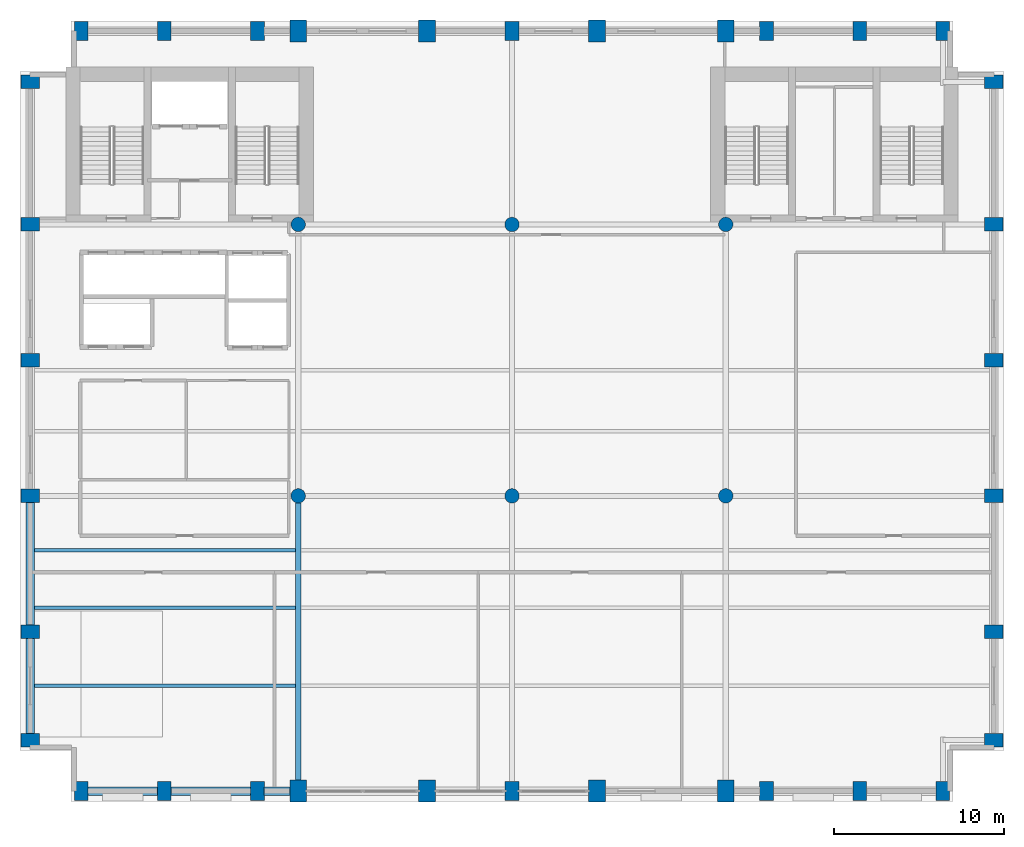
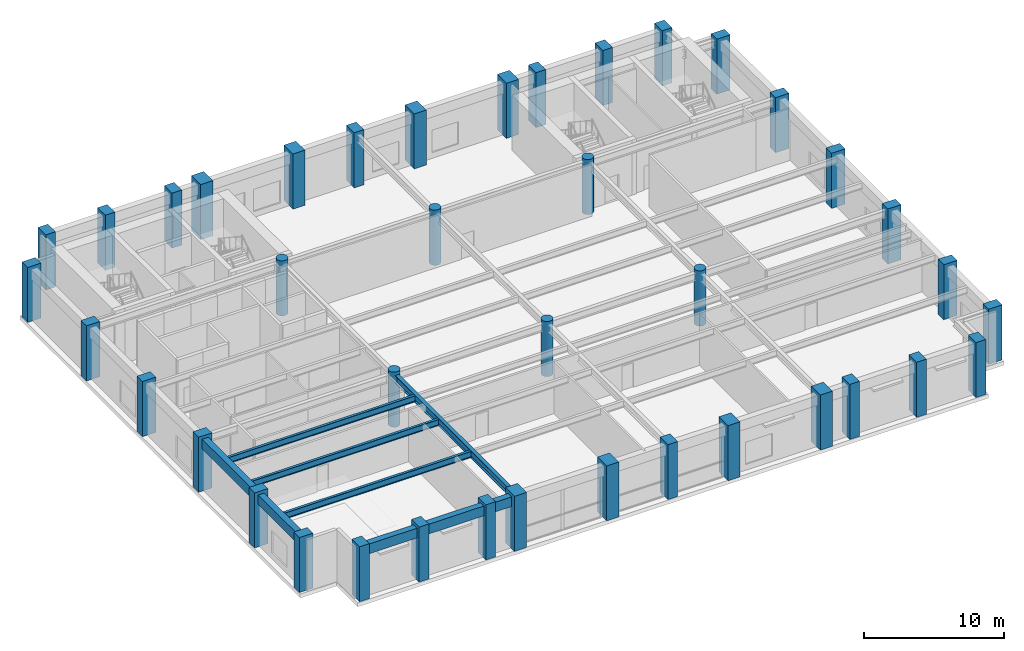
# One storey, part 1 of 10: 40 columns, 9 beams.
"""IFC4 building model written with IfcOpenShell, lengths in metres."""

import ifcopenshell
import ifcopenshell.guid

model = None  # the IFC model being written
_history = None  # IfcOwnerHistory: only IFC2X3 demands one
_inside = {}  # id of a spatial element -> (the spatial element, [elements in it])
_under = {}  # id of a project, library or spatial element -> (it, [spatial elements below it])
_declared = {}  # id of a project -> (the project, [libraries it declares])
_typed = {}  # id of a type object -> (the type object, [elements of that type])
_made_of = {}  # id of a material, layer set ... -> (it, [elements and type objects made of it])


def new_model(schema):
    """Start an empty IFC model of exactly this schema.

    Asked for "IFC4X3", IfcOpenShell would pick the latest addendum, in which some entities
    have other attributes; the version numbers below select the first issue.
    IFC2X3 requires an IfcOwnerHistory on every rooted entity: one is made here for all.
    """
    global model, _history
    if schema == "IFC4X3":
        model = ifcopenshell.file(schema_version=(4, 3, 0, 0))
    else:
        model = ifcopenshell.file(schema=schema)
    _inside.clear()
    _under.clear()
    _declared.clear()
    _typed.clear()
    _made_of.clear()
    _history = None
    if model.schema == "IFC2X3":
        org = make("IfcOrganization", Name="unknown")
        user = make(
            "IfcPersonAndOrganization",
            ThePerson=make("IfcPerson", FamilyName="unknown"),
            TheOrganization=org,
        )
        app = make(
            "IfcApplication",
            ApplicationDeveloper=org,
            Version="unknown",
            ApplicationFullName="unknown",
            ApplicationIdentifier="unknown",
        )
        _history = make(
            "IfcOwnerHistory",
            OwningUser=user,
            OwningApplication=app,
            ChangeAction="ADDED",
            CreationDate=0,
        )
    return model


def make(cls, **values):
    """One entity of the class cls with the attributes given. An attribute that is None is left unset."""
    return model.create_entity(
        cls, **{name: value for name, value in values.items() if value is not None}
    )


def rooted(cls, **values):
    """An entity with a GlobalId (a new one), such as an element, a storey or a relation."""
    return make(cls, GlobalId=ifcopenshell.guid.new(), OwnerHistory=_history, **values)


def si_unit(unit_type, name, prefix=None):
    """IfcSIUnit, for example si_unit("LENGTHUNIT", "METRE", prefix="MILLI")."""
    return make("IfcSIUnit", UnitType=unit_type, Prefix=prefix, Name=name)


def assignment(units):
    """IfcUnitAssignment: the units of a project."""
    return None if units is None else make("IfcUnitAssignment", Units=units)


def point(xyz):
    """IfcCartesianPoint."""
    return None if xyz is None else make("IfcCartesianPoint", Coordinates=xyz)


def direction(xyz):
    """IfcDirection."""
    return None if xyz is None else make("IfcDirection", DirectionRatios=xyz)


def frame(location, z_axis=None, x_axis=None):
    """IfcAxis2Placement3D, a coordinate frame: its origin and axes. An axis left out is left unset."""
    return make(
        "IfcAxis2Placement3D",
        Location=point(location),
        Axis=direction(z_axis),
        RefDirection=direction(x_axis),
    )


def frame_2d(location, x_axis=None):
    """IfcAxis2Placement2D, a coordinate frame in the plane: its origin and x axis."""
    return make(
        "IfcAxis2Placement2D", Location=point(location), RefDirection=direction(x_axis)
    )


def origin():
    """The frame at (0, 0, 0) with its axes left unset."""
    return frame((0.0, 0.0, 0.0))


def origin_2d():
    """The frame at (0, 0) in the plane with its x axis left unset."""
    return frame_2d((0.0, 0.0))


def place(relative_to, where):
    """IfcLocalPlacement: puts the frame where relative to a parent placement (None: the world)."""
    return make(
        "IfcLocalPlacement", PlacementRelTo=relative_to, RelativePlacement=where
    )


def context(
    kind, dimensions, precision=None, world=None, true_north=None, identifier=None
):
    """IfcGeometricRepresentationContext, for example the 3D "Model" context."""
    return make(
        "IfcGeometricRepresentationContext",
        ContextIdentifier=identifier,
        ContextType=kind,
        CoordinateSpaceDimension=dimensions,
        Precision=precision,
        WorldCoordinateSystem=world,
        TrueNorth=true_north,
    )


def subcontext(parent, identifier, kind, view, scale=None):
    """IfcGeometricRepresentationSubContext, for example "Body" below "Model"."""
    return make(
        "IfcGeometricRepresentationSubContext",
        ContextIdentifier=identifier,
        ContextType=kind,
        ParentContext=parent,
        TargetScale=scale,
        TargetView=view,
    )


def project(units=None, contexts=None):
    """IfcProject with its units and contexts."""
    return rooted(
        "IfcProject",
        Name="project",
        RepresentationContexts=contexts,
        UnitsInContext=assignment(units),
    )


def spatial(cls, under=None, at=None, **own):
    """A site, building, storey or space (cls), placed at a placement, below another one or the project."""
    s = rooted(cls, ObjectPlacement=at, **own)
    if under is not None:
        _under.setdefault(under.id(), (under, []))[1].append(s)
    return s


def profile(cls, at=None, kind="AREA", **sizes):
    """A parametric profile (cls). Its sizes go by their IFC names, for example OverallWidth=200.0."""
    return make(cls, ProfileType=kind, Position=at, **sizes)


def rectangle(**sizes):
    """IfcRectangleProfileDef."""
    return profile("IfcRectangleProfileDef", **sizes)


def circle(**sizes):
    """IfcCircleProfileDef."""
    return profile("IfcCircleProfileDef", **sizes)


def i_section(**sizes):
    """IfcIShapeProfileDef."""
    return profile("IfcIShapeProfileDef", **sizes)


def extrude(swept, where, along, depth):
    """IfcExtrudedAreaSolid: the profile swept, set in the frame where, extruded along a direction by depth."""
    return make(
        "IfcExtrudedAreaSolid",
        SweptArea=swept,
        Position=where,
        ExtrudedDirection=direction(along),
        Depth=depth,
    )


def shape(context_of_items, identifier, shape_type, items):
    """IfcShapeRepresentation: the items that make up one representation, for example the "Body"."""
    return make(
        "IfcShapeRepresentation",
        ContextOfItems=context_of_items,
        RepresentationIdentifier=identifier,
        RepresentationType=shape_type,
        Items=items,
    )


def material(Name=None, Category=None):
    """IfcMaterial."""
    return make("IfcMaterial", Name=Name, Category=Category)


def material_profile(
    of_material, cross_section, Name=None, Category=None, Priority=None
):
    """IfcMaterialProfile: a cross section and its material."""
    return make(
        "IfcMaterialProfile",
        Name=Name,
        Material=of_material,
        Profile=cross_section,
        Priority=Priority,
        Category=Category,
    )


def profile_set(profiles, Name=None, composite=None):
    """IfcMaterialProfileSet."""
    return make(
        "IfcMaterialProfileSet",
        Name=Name,
        MaterialProfiles=profiles,
        CompositeProfile=composite,
    )


def made_of(thing, what):
    """Note that an element or type object is made of a material, layer set ...; save() writes the relation."""
    if what is not None:
        _made_of.setdefault(what.id(), (what, []))[1].append(thing)
    return thing


def type_object(cls, material=None, **own):
    """A type object (cls), such as IfcWallType, which elements share."""
    return made_of(rooted(cls, **own), material)


def element(
    cls,
    number,
    at=None,
    inside=None,
    cuts=None,
    type_object=None,
    material=None,
    context=None,
    identifier="Body",
    shape_type=None,
    held_by="IfcProductDefinitionShape",
    body=None,
    shapes=None,
    **own,
):
    """One element of the class cls, such as IfcWall. Its Tag is "e" and its number.

    at: its placement. inside: the storey or other place that contains it. cuts: it is an
    opening in that element (IfcRelVoidsElement). A single representation is given by context,
    identifier, shape_type and body (its items); several are given by shapes. held_by: the class
    of the entity that holds the representations. save() writes the other relations.
    """
    e = rooted(cls, Tag="e%d" % number, ObjectPlacement=at, **own)
    if body is not None:
        shapes = [shape(context, identifier, shape_type, body)]
    if shapes is not None:
        e.Representation = make(held_by, Representations=shapes)
    if inside is not None:
        _inside.setdefault(inside.id(), (inside, []))[1].append(e)
    if cuts is not None:
        rooted(
            "IfcRelVoidsElement", RelatingBuildingElement=cuts, RelatedOpeningElement=e
        )
    if type_object is not None:
        _typed.setdefault(type_object.id(), (type_object, []))[1].append(e)
    return made_of(e, material)


def aggregate(whole, parts):
    """IfcRelAggregates: a whole, such as a stair, and the parts it consists of."""
    return rooted("IfcRelAggregates", RelatingObject=whole, RelatedObjects=parts)


def save(model, path):
    """Write the relations noted so far, then the file.

    IfcRelAggregates (storeys below a building ...), IfcRelContainedInSpatialStructure (elements
    in a storey), IfcRelDefinesByType, IfcRelAssociatesMaterial and IfcRelDeclares: one each for
    every whole, place, type object, material and project.
    """
    for whole, parts in _under.values():
        aggregate(whole, parts)
    for where, things in _inside.values():
        rooted(
            "IfcRelContainedInSpatialStructure",
            RelatedElements=things,
            RelatingStructure=where,
        )
    for kind, things in _typed.values():
        rooted("IfcRelDefinesByType", RelatedObjects=things, RelatingType=kind)
    for what, things in _made_of.values():
        rooted("IfcRelAssociatesMaterial", RelatedObjects=things, RelatingMaterial=what)
    for by, libraries in _declared.values():
        rooted("IfcRelDeclares", RelatingContext=by, RelatedDefinitions=libraries)
    model.write(path)


model = new_model("IFC4")

# Units and contexts
model_context = context("Model", 3, precision=1e-05, world=origin(), true_north=direction((0.0, 1.0)))
body_context = subcontext(model_context, "Body", "Model", "MODEL_VIEW")
ifc_project = project(units=[si_unit("LENGTHUNIT", "METRE"), si_unit("AREAUNIT", "SQUARE_METRE"), si_unit("VOLUMEUNIT", "CUBIC_METRE"), si_unit("PLANEANGLEUNIT", "RADIAN"), si_unit("MASSUNIT", "GRAM", prefix="KILO")], contexts=[model_context])

# Site, building, storey
site_placement = place(None, origin())
site = spatial("IfcSite", under=ifc_project, at=site_placement, CompositionType="ELEMENT")
building_placement = place(site_placement, origin())
building = spatial("IfcBuilding", under=site, at=building_placement, Name="Sulina Concourse Tower", CompositionType="ELEMENT")
storey_placement = place(building_placement, frame((0.0, 0.0, 165.800048828125)))
storey = spatial("IfcBuildingStorey", under=building, at=storey_placement, Name="L40", CompositionType="ELEMENT", Elevation=165.800048828125)

# Columns
ifc_material_1 = material(Name="Precast concrete C60/75", Category="concrete")
ifc_material_profile_1 = material_profile(ifc_material_1, rectangle(XDim=0.800048828125, YDim=1.10009765625, at=origin_2d()), Name="PC 800x1100")
ifc_profile_set_1 = profile_set([ifc_material_profile_1], Name="Precast concrete C60/75")
column_type_1 = type_object("IfcColumnType", Name="Precast Tube Pier Zone 3 800x1100", PredefinedType="COLUMN", material=ifc_profile_set_1)
for number, where, z_axis, x_axis, name in (
    (1, (3.60009765625, 0.60009765625, 0.0), (0.0, 0.0, 1.0), (1.0, 0.0, 0.0), "L40 structural column TP-S-36"),
    (2, (3.60009765625, 45.39990234375, 0.0), (0.0, 0.0, 1.0), (1.0, 0.0, 0.0), "L40 structural column TP-N-36"),
    (3, (8.5, 0.60009765625, 0.0), (0.0, 0.0, 1.0), (1.0, 0.0, 0.0), "L40 structural column TP-S-85"),
    (4, (8.5, 45.39990234375, 0.0), (0.0, 0.0, 1.0), (1.0, 0.0, 0.0), "L40 structural column TP-N-85"),
    (5, (14.0, 0.60009765625, 0.0), (0.0, 0.0, 1.0), (1.0, 0.0, 0.0), "L40 structural column TP-S-140"),
    (6, (14.0, 45.39990234375, 0.0), (0.0, 0.0, 1.0), (1.0, 0.0, 0.0), "L40 structural column TP-N-140"),
    (7, (29.0, 0.60009765625, 0.0), (0.0, 0.0, 1.0), (1.0, 0.0, 0.0), "L40 structural column TP-S-290"),
    (8, (29.0, 45.39990234375, 0.0), (0.0, 0.0, 1.0), (1.0, 0.0, 0.0), "L40 structural column TP-N-290"),
    (9, (44.0, 0.60009765625, 0.0), (0.0, 0.0, 1.0), (1.0, 0.0, 0.0), "L40 structural column TP-S-440"),
    (10, (44.0, 45.39990234375, 0.0), (0.0, 0.0, 1.0), (1.0, 0.0, 0.0), "L40 structural column TP-N-440"),
    (11, (49.5, 0.60009765625, 0.0), (0.0, 0.0, 1.0), (1.0, 0.0, 0.0), "L40 structural column TP-S-495"),
    (12, (49.5, 45.39990234375, 0.0), (0.0, 0.0, 1.0), (1.0, 0.0, 0.0), "L40 structural column TP-N-495"),
    (13, (54.39990234375, 0.60009765625, 0.0), (0.0, 0.0, 1.0), (1.0, 0.0, 0.0), "L40 structural column TP-S-544"),
    (14, (54.39990234375, 45.39990234375, 0.0), (0.0, 0.0, 1.0), (1.0, 0.0, 0.0), "L40 structural column TP-N-544"),
    (15, (0.60009765625, 3.60009765625, 0.0), (0.0, 0.0, 1.0), (0.0, 1.0, 0.0), "L40 structural column TP-W-36"),
    (16, (57.39990234375, 3.60009765625, 0.0), (0.0, 0.0, 1.0), (0.0, 1.0, 0.0), "L40 structural column TP-E-36"),
    (17, (0.60009765625, 10.0, 0.0), (0.0, 0.0, 1.0), (0.0, 1.0, 0.0), "L40 structural column TP-W-100"),
    (18, (57.39990234375, 10.0, 0.0), (0.0, 0.0, 1.0), (0.0, 1.0, 0.0), "L40 structural column TP-E-100"),
    (19, (0.60009765625, 18.0, 0.0), (0.0, 0.0, 1.0), (0.0, 1.0, 0.0), "L40 structural column TP-W-180"),
    (20, (57.39990234375, 18.0, 0.0), (0.0, 0.0, 1.0), (0.0, 1.0, 0.0), "L40 structural column TP-E-180"),
    (21, (0.60009765625, 26.0, 0.0), (0.0, 0.0, 1.0), (0.0, 1.0, 0.0), "L40 structural column TP-W-260"),
    (22, (57.39990234375, 26.0, 0.0), (0.0, 0.0, 1.0), (0.0, 1.0, 0.0), "L40 structural column TP-E-260"),
    (23, (0.60009765625, 34.0, 0.0), (0.0, 0.0, 1.0), (0.0, 1.0, 0.0), "L40 structural column TP-W-340"),
    (24, (57.39990234375, 34.0, 0.0), (0.0, 0.0, 1.0), (0.0, 1.0, 0.0), "L40 structural column TP-E-340"),
    (25, (0.60009765625, 42.39990234375, 0.0), (0.0, 0.0, 1.0), (0.0, 1.0, 0.0), "L40 structural column TP-W-424"),
    (26, (57.39990234375, 42.39990234375, 0.0), (0.0, 0.0, 1.0), (0.0, 1.0, 0.0), "L40 structural column TP-E-424"),
):
    element("IfcColumn", number, at=place(storey_placement, frame(where, z_axis=z_axis, x_axis=x_axis)), inside=storey, type_object=column_type_1, Name=name, PredefinedType="COLUMN", context=body_context, shape_type="SweptSolid", body=[
        extrude(rectangle(XDim=0.800048828125, YDim=1.10009765625, at=origin_2d()), origin(), (0.0, 0.0, 1.0), 4.800048828125),
    ])
ifc_material_2 = material(Name="Concrete C50/60", Category="concrete")
ifc_material_profile_2 = material_profile(ifc_material_2, circle(Radius=0.425048828125, at=origin_2d()), Name="RC D850")
ifc_profile_set_2 = profile_set([ifc_material_profile_2], Name="Concrete C50/60")
column_type_2 = type_object("IfcColumnType", Name="Upper Interior Circular Column D850", PredefinedType="COLUMN", material=ifc_profile_set_2)
for number, where, z_axis, x_axis, name in (
    (27, (16.39990234375, 18.0, 0.0), (0.0, 0.0, 1.0), (1.0, 0.0, 0.0), "L40 structural column IC-M-164"),
    (28, (16.39990234375, 34.0, 0.0), (0.0, 0.0, 1.0), (1.0, 0.0, 0.0), "L40 structural column IC-N-164"),
    (29, (29.0, 18.0, 0.0), (0.0, 0.0, 1.0), (1.0, 0.0, 0.0), "L40 structural column IC-M-290"),
    (30, (29.0, 34.0, 0.0), (0.0, 0.0, 1.0), (1.0, 0.0, 0.0), "L40 structural column IC-N-290"),
    (31, (41.60009765625, 18.0, 0.0), (0.0, 0.0, 1.0), (1.0, 0.0, 0.0), "L40 structural column IC-M-416"),
    (32, (41.60009765625, 34.0, 0.0), (0.0, 0.0, 1.0), (1.0, 0.0, 0.0), "L40 structural column IC-N-416"),
):
    element("IfcColumn", number, at=place(storey_placement, frame(where, z_axis=z_axis, x_axis=x_axis)), inside=storey, type_object=column_type_2, Name=name, PredefinedType="COLUMN", context=body_context, shape_type="SweptSolid", body=[
        extrude(circle(Radius=0.425048828125, at=origin_2d()), origin(), (0.0, 0.0, 1.0), 4.800048828125),
    ])
ifc_material_3 = material(Name="Concrete C60/75", Category="concrete")
ifc_material_profile_3 = material_profile(ifc_material_3, rectangle(XDim=1.0, YDim=1.300048828125, at=origin_2d()), Name="RC 1000x1300")
ifc_profile_set_3 = profile_set([ifc_material_profile_3], Name="Concrete C60/75")
column_type_3 = type_object("IfcColumnType", Name="Upper Portal Column 1000x1300", PredefinedType="COLUMN", material=ifc_profile_set_3)
for number, where, z_axis, x_axis, name in (
    (33, (16.39990234375, 0.60009765625, 0.0), (0.0, 0.0, 1.0), (1.0, 0.0, 0.0), "L40 structural column TP-S-164"),
    (34, (16.39990234375, 45.39990234375, 0.0), (0.0, 0.0, 1.0), (1.0, 0.0, 0.0), "L40 structural column TP-N-164"),
    (35, (24.0, 0.60009765625, 0.0), (0.0, 0.0, 1.0), (1.0, 0.0, 0.0), "L40 structural column TP-S-240"),
    (36, (24.0, 45.39990234375, 0.0), (0.0, 0.0, 1.0), (1.0, 0.0, 0.0), "L40 structural column TP-N-240"),
    (37, (34.0, 0.60009765625, 0.0), (0.0, 0.0, 1.0), (1.0, 0.0, 0.0), "L40 structural column TP-S-340"),
    (38, (34.0, 45.39990234375, 0.0), (0.0, 0.0, 1.0), (1.0, 0.0, 0.0), "L40 structural column TP-N-340"),
    (39, (41.60009765625, 0.60009765625, 0.0), (0.0, 0.0, 1.0), (1.0, 0.0, 0.0), "L40 structural column TP-S-416"),
    (40, (41.60009765625, 45.39990234375, 0.0), (0.0, 0.0, 1.0), (1.0, 0.0, 0.0), "L40 structural column TP-N-416"),
):
    element("IfcColumn", number, at=place(storey_placement, frame(where, z_axis=z_axis, x_axis=x_axis)), inside=storey, type_object=column_type_3, Name=name, PredefinedType="COLUMN", context=body_context, shape_type="SweptSolid", body=[
        extrude(rectangle(XDim=1.0, YDim=1.300048828125, at=origin_2d()), origin(), (0.0, 0.0, 1.0), 4.800048828125),
    ])

# Beams
ifc_material_4 = material(Name="Steel S355", Category="steel")
ifc_material_profile_4 = material_profile(ifc_material_4, i_section(OverallWidth=0.2099609375, OverallDepth=0.550048828125, WebThickness=0.010986328125, FlangeThickness=0.01708984375, at=origin_2d()), Name="IPE 550")
ifc_profile_set_4 = profile_set([ifc_material_profile_4], Name="Steel S355")
beam_type_1 = type_object("IfcBeamType", Name="Composite Floor Joist IPE550", PredefinedType="JOIST", material=ifc_profile_set_4)
for number, where, z_axis, x_axis, name in (
    (41, (0.85009765625, 6.800048828125, 4.25), (1.0, 0.0, 0.0), (0.0, 1.0, 0.0), "FJ-J06-1-L40"),
    (42, (0.85009765625, 11.39990234375, 4.25), (1.0, 0.0, 0.0), (0.0, 1.0, 0.0), "FJ-J11-1-L40"),
    (43, (0.85009765625, 14.800048828125, 4.25), (1.0, 0.0, 0.0), (0.0, 1.0, 0.0), "FJ-J15-1-L40"),
):
    element("IfcBeam", number, at=place(storey_placement, frame(where, z_axis=z_axis, x_axis=x_axis)), inside=storey, type_object=beam_type_1, Name=name, PredefinedType="JOIST", context=body_context, shape_type="SweptSolid", body=[
        extrude(i_section(OverallWidth=0.2099609375, OverallDepth=0.550048828125, WebThickness=0.010986328125, FlangeThickness=0.01708984375, at=origin_2d()), origin(), (0.0, 0.0, 1.0), 15.39990234375),
    ])
ifc_material_5 = material(Name="Steel S355", Category="steel")
ifc_material_profile_5 = material_profile(ifc_material_5, i_section(OverallWidth=0.300048828125, OverallDepth=0.64990234375, WebThickness=0.01611328125, FlangeThickness=0.031005859375, at=origin_2d()), Name="HE 650 B")
ifc_profile_set_5 = profile_set([ifc_material_profile_5], Name="Steel S355")
beam_type_2 = type_object("IfcBeamType", Name="Floor Primary Girder Zone 2 HE650B", PredefinedType="BEAM", material=ifc_profile_set_5)
beam_1_placement = place(storey_placement, frame((16.39990234375, 1.080078125, 4.199951171875), z_axis=(0.0, 1.0, 0.0), x_axis=(-1.0, 0.0, 0.0)))
element("IfcBeam", 44, at=beam_1_placement, inside=storey, type_object=beam_type_2, Name="FG-NSA-16-L40", PredefinedType="BEAM", context=body_context, shape_type="SweptSolid", body=[
    extrude(i_section(OverallWidth=0.300048828125, OverallDepth=0.64990234375, WebThickness=0.01611328125, FlangeThickness=0.031005859375, at=origin_2d()), origin(), (0.0, 0.0, 1.0), 16.514892578125),
])
ifc_material_6 = material(Name="Precast concrete C50/60", Category="concrete")
ifc_material_profile_6 = material_profile(ifc_material_6, rectangle(XDim=0.5, YDim=0.85009765625, at=origin_2d()), Name="RC 500x850")
ifc_profile_set_6 = profile_set([ifc_material_profile_6], Name="Precast concrete C50/60")
beam_type_3 = type_object("IfcBeamType", Name="Lower Precast Spandrel Edge Beam 500x850", PredefinedType="BEAM", material=ifc_profile_set_6)
beam_2_placement = place(storey_placement, frame((3.97998046875, 0.60009765625, 4.099853515625), z_axis=(1.0, 0.0, 0.0), x_axis=(0.0, 1.0, 0.0)))
element("IfcBeam", 45, at=beam_2_placement, inside=storey, type_object=beam_type_3, Name="SP-S1-L40", PredefinedType="BEAM", context=body_context, shape_type="SweptSolid", body=[
    extrude(rectangle(XDim=0.5, YDim=0.85009765625, at=origin_2d()), origin(), (0.0, 0.0, 1.0), 4.14013671875),
])
beam_3_placement = place(storey_placement, frame((8.8798828125, 0.60009765625, 4.099853515625), z_axis=(1.0, 0.0, 0.0), x_axis=(0.0, 1.0, 0.0)))
element("IfcBeam", 46, at=beam_3_placement, inside=storey, type_object=beam_type_3, Name="SP-S2-L40", PredefinedType="BEAM", context=body_context, shape_type="SweptSolid", body=[
    extrude(rectangle(XDim=0.5, YDim=0.85009765625, at=origin_2d()), origin(), (0.0, 0.0, 1.0), 4.740234375),
])
beam_4_placement = place(storey_placement, frame((14.3798828125, 0.60009765625, 4.099853515625), z_axis=(1.0, 0.0, 0.0), x_axis=(0.0, 1.0, 0.0)))
element("IfcBeam", 47, at=beam_4_placement, inside=storey, type_object=beam_type_3, Name="SP-S3-L40", PredefinedType="BEAM", context=body_context, shape_type="SweptSolid", body=[
    extrude(rectangle(XDim=0.5, YDim=0.85009765625, at=origin_2d()), origin(), (0.0, 0.0, 1.0), 1.5400390625),
])
beam_5_placement = place(storey_placement, frame((0.60009765625, 3.97998046875, 4.099853515625), z_axis=(0.0, 1.0, 0.0), x_axis=(-1.0, 0.0, 0.0)))
element("IfcBeam", 48, at=beam_5_placement, inside=storey, type_object=beam_type_3, Name="SP-W1-L40", PredefinedType="BEAM", context=body_context, shape_type="SweptSolid", body=[
    extrude(rectangle(XDim=0.5, YDim=0.85009765625, at=origin_2d()), origin(), (0.0, 0.0, 1.0), 5.64013671875),
])
beam_6_placement = place(storey_placement, frame((0.60009765625, 10.3798828125, 4.099853515625), z_axis=(0.0, 1.0, 0.0), x_axis=(-1.0, 0.0, 0.0)))
element("IfcBeam", 49, at=beam_6_placement, inside=storey, type_object=beam_type_3, Name="SP-W2-L40", PredefinedType="BEAM", context=body_context, shape_type="SweptSolid", body=[
    extrude(rectangle(XDim=0.5, YDim=0.85009765625, at=origin_2d()), origin(), (0.0, 0.0, 1.0), 7.240234375),
])

save(model, "model.ifc")
